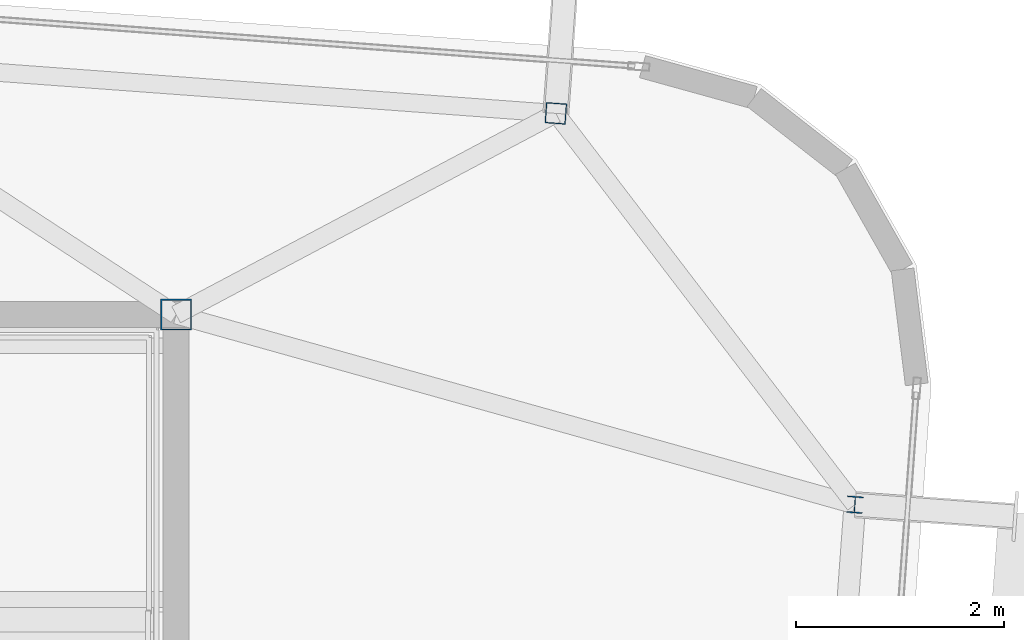
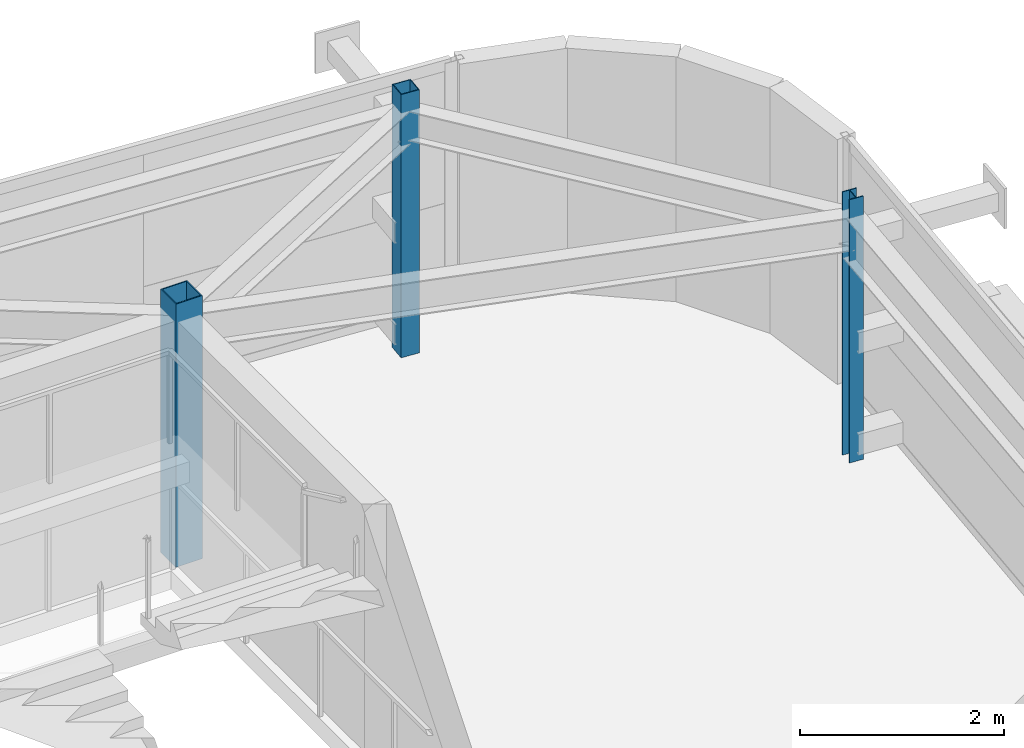
# One storey, part 6 of 39: 3 columns.
"""IFC4 building model written with IfcOpenShell, lengths in metres."""

from ifc_helpers import new_model, si_unit, direction, frame, origin, origin_2d, place, context, subcontext, project, spatial, hollow_rectangle, i_section, extrude, source, transform, mapped, material, material_profile, profile_set, type_object, element, save


model = new_model("IFC4")

# Units and contexts
model_context = context("Model", 3, precision=1e-05, world=origin(), true_north=direction((0.0, 1.0)))
body_context = subcontext(model_context, "Body", "Model", "MODEL_VIEW")
ifc_project = project(units=[si_unit("LENGTHUNIT", "METRE"), si_unit("AREAUNIT", "SQUARE_METRE"), si_unit("VOLUMEUNIT", "CUBIC_METRE"), si_unit("PLANEANGLEUNIT", "RADIAN"), si_unit("MASSUNIT", "GRAM", prefix="KILO")], contexts=[model_context])

# Site, building, storey
site_placement = place(None, origin())
site = spatial("IfcSite", under=ifc_project, at=site_placement, CompositionType="ELEMENT")
building_placement = place(site_placement, origin())
building = spatial("IfcBuilding", under=site, at=building_placement, Name="Taldren Reach Tower", CompositionType="ELEMENT")
storey_placement = place(building_placement, frame((0.0, 0.0, 230.300048828125)))
storey = spatial("IfcBuildingStorey", under=building, at=storey_placement, Name="L70", CompositionType="ELEMENT", Elevation=230.300048828125)

# Columns
ifc_material_1 = material(Name="Steel Gr 450 (C450L0)", Category="steel")
ifc_material_profile_1 = material_profile(ifc_material_1, hollow_rectangle(XDim=0.300048828125, YDim=0.300048828125, WallThickness=0.012451171875, at=origin_2d()), Name="300x300x12.5SHS")
ifc_profile_set_1 = profile_set([ifc_material_profile_1], Name="Steel Gr 450 (C450L0)")
column_type_1 = type_object("IfcColumnType", Name="COL-SHS300", PredefinedType="COLUMN", material=ifc_profile_set_1)
shared_shape_1 = source(origin(), body_context, "Body", "SweptSolid", [
    extrude(hollow_rectangle(XDim=0.300048828125, YDim=0.300048828125, WallThickness=0.012451171875, at=origin_2d()), origin(), (0.0, 0.0, 1.0), 3.14990234375),
])
column_1_placement = place(storey_placement, frame((51.0, 32.0, 0.0), z_axis=(0.0, 0.0, 1.0), x_axis=(1.0, 0.0, 0.0)))
element("IfcColumn", 1, at=column_1_placement, inside=storey, type_object=column_type_1, Name="Mega column MC-C8 L70", PredefinedType="COLUMN", context=body_context, shape_type="MappedRepresentation", body=[
    mapped(shared_shape_1, transform((0.0, 0.0, 0.0), scale=1.0)),
])
ifc_material_2 = material(Name="Steel Gr 350 (C350L0)", Category="steel")
ifc_material_profile_2 = material_profile(ifc_material_2, hollow_rectangle(XDim=0.199951171875, YDim=0.199951171875, WallThickness=0.009033203125, at=origin_2d()), Name="200x200x9.0SHS")
ifc_profile_set_2 = profile_set([ifc_material_profile_2], Name="Steel Gr 350 (C350L0)")
column_type_2 = type_object("IfcColumnType", Name="COL-SHS200", PredefinedType="COLUMN", material=ifc_profile_set_2)
shared_shape_2 = source(origin(), body_context, "Body", "SweptSolid", [
    extrude(hollow_rectangle(XDim=0.199951171875, YDim=0.199951171875, WallThickness=0.009033203125, at=origin_2d()), origin(), (0.0, 0.0, 1.0), 3.14990234375),
])
column_2_placement = place(storey_placement, frame((54.659423828125, 33.939697265625, 0.0), z_axis=(0.0, 0.0, 1.0), x_axis=(0.997314477224, -0.073238197128, 0.0)))
element("IfcColumn", 2, at=column_2_placement, inside=storey, type_object=column_type_2, Name="Block B5 perimeter column N6 L70", PredefinedType="COLUMN", context=body_context, shape_type="MappedRepresentation", body=[
    mapped(shared_shape_2, transform((0.0, 0.0, 0.0), scale=1.0)),
])
ifc_material_3 = material(Name="Steel Gr 350 (350PLUS)", Category="steel")
ifc_material_profile_3 = material_profile(ifc_material_3, i_section(OverallWidth=0.154052734375, OverallDepth=0.162109375, WebThickness=0.008056640625, FlangeThickness=0.011474609375, at=origin_2d()), Name="150UC37.2")
ifc_profile_set_3 = profile_set([ifc_material_profile_3], Name="Steel Gr 350 (350PLUS)")
column_type_3 = type_object("IfcColumnType", Name="COL-UC150", PredefinedType="COLUMN", material=ifc_profile_set_3)
shared_shape_3 = source(origin(), body_context, "Body", "SweptSolid", [
    extrude(i_section(OverallWidth=0.154052734375, OverallDepth=0.162109375, WebThickness=0.008056640625, FlangeThickness=0.011474609375, at=origin_2d()), origin(), (0.0, 0.0, 1.0), 3.14990234375),
])
column_3_placement = place(storey_placement, frame((57.540771484375, 30.168701171875, 0.0), z_axis=(0.0, 0.0, 1.0), x_axis=(0.997314477224, -0.073238197128, 0.0)))
element("IfcColumn", 3, at=column_3_placement, inside=storey, type_object=column_type_3, Name="Block B5 perimeter column E3 L70", PredefinedType="COLUMN", context=body_context, shape_type="MappedRepresentation", body=[
    mapped(shared_shape_3, transform((0.0, 0.0, 0.0), scale=1.0)),
])

save(model, "model.ifc")
